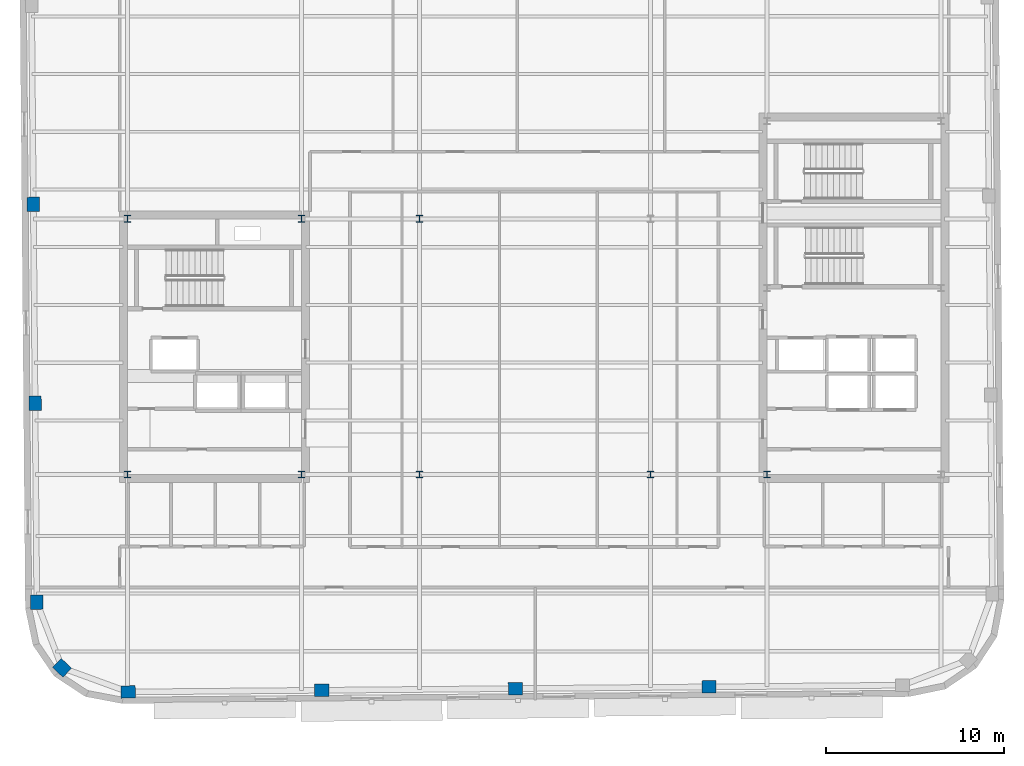
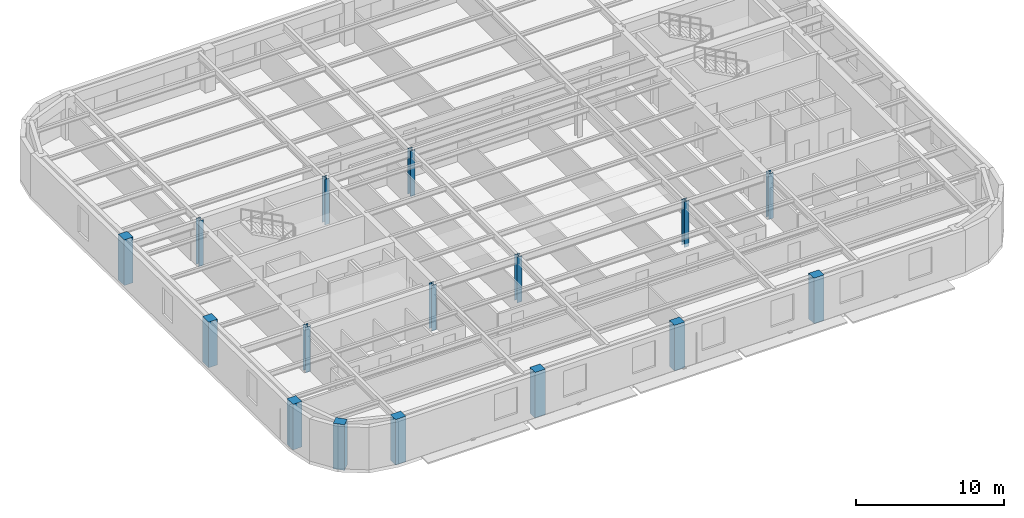
# One storey, part 1 of 14: 16 columns.
"""IFC4 building model written with IfcOpenShell, lengths in metres."""

import ifcopenshell
import ifcopenshell.guid

model = None  # the IFC model being written
_history = None  # IfcOwnerHistory: only IFC2X3 demands one
_inside = {}  # id of a spatial element -> (the spatial element, [elements in it])
_under = {}  # id of a project, library or spatial element -> (it, [spatial elements below it])
_declared = {}  # id of a project -> (the project, [libraries it declares])
_typed = {}  # id of a type object -> (the type object, [elements of that type])
_made_of = {}  # id of a material, layer set ... -> (it, [elements and type objects made of it])


def new_model(schema):
    """Start an empty IFC model of exactly this schema.

    Asked for "IFC4X3", IfcOpenShell would pick the latest addendum, in which some entities
    have other attributes; the version numbers below select the first issue.
    IFC2X3 requires an IfcOwnerHistory on every rooted entity: one is made here for all.
    """
    global model, _history
    if schema == "IFC4X3":
        model = ifcopenshell.file(schema_version=(4, 3, 0, 0))
    else:
        model = ifcopenshell.file(schema=schema)
    _inside.clear()
    _under.clear()
    _declared.clear()
    _typed.clear()
    _made_of.clear()
    _history = None
    if model.schema == "IFC2X3":
        org = make("IfcOrganization", Name="unknown")
        user = make(
            "IfcPersonAndOrganization",
            ThePerson=make("IfcPerson", FamilyName="unknown"),
            TheOrganization=org,
        )
        app = make(
            "IfcApplication",
            ApplicationDeveloper=org,
            Version="unknown",
            ApplicationFullName="unknown",
            ApplicationIdentifier="unknown",
        )
        _history = make(
            "IfcOwnerHistory",
            OwningUser=user,
            OwningApplication=app,
            ChangeAction="ADDED",
            CreationDate=0,
        )
    return model


def make(cls, **values):
    """One entity of the class cls with the attributes given. An attribute that is None is left unset."""
    return model.create_entity(
        cls, **{name: value for name, value in values.items() if value is not None}
    )


def rooted(cls, **values):
    """An entity with a GlobalId (a new one), such as an element, a storey or a relation."""
    return make(cls, GlobalId=ifcopenshell.guid.new(), OwnerHistory=_history, **values)


def si_unit(unit_type, name, prefix=None):
    """IfcSIUnit, for example si_unit("LENGTHUNIT", "METRE", prefix="MILLI")."""
    return make("IfcSIUnit", UnitType=unit_type, Prefix=prefix, Name=name)


def assignment(units):
    """IfcUnitAssignment: the units of a project."""
    return None if units is None else make("IfcUnitAssignment", Units=units)


def point(xyz):
    """IfcCartesianPoint."""
    return None if xyz is None else make("IfcCartesianPoint", Coordinates=xyz)


def direction(xyz):
    """IfcDirection."""
    return None if xyz is None else make("IfcDirection", DirectionRatios=xyz)


def frame(location, z_axis=None, x_axis=None):
    """IfcAxis2Placement3D, a coordinate frame: its origin and axes. An axis left out is left unset."""
    return make(
        "IfcAxis2Placement3D",
        Location=point(location),
        Axis=direction(z_axis),
        RefDirection=direction(x_axis),
    )


def frame_2d(location, x_axis=None):
    """IfcAxis2Placement2D, a coordinate frame in the plane: its origin and x axis."""
    return make(
        "IfcAxis2Placement2D", Location=point(location), RefDirection=direction(x_axis)
    )


def origin():
    """The frame at (0, 0, 0) with its axes left unset."""
    return frame((0.0, 0.0, 0.0))


def origin_2d():
    """The frame at (0, 0) in the plane with its x axis left unset."""
    return frame_2d((0.0, 0.0))


def place(relative_to, where):
    """IfcLocalPlacement: puts the frame where relative to a parent placement (None: the world)."""
    return make(
        "IfcLocalPlacement", PlacementRelTo=relative_to, RelativePlacement=where
    )


def context(
    kind, dimensions, precision=None, world=None, true_north=None, identifier=None
):
    """IfcGeometricRepresentationContext, for example the 3D "Model" context."""
    return make(
        "IfcGeometricRepresentationContext",
        ContextIdentifier=identifier,
        ContextType=kind,
        CoordinateSpaceDimension=dimensions,
        Precision=precision,
        WorldCoordinateSystem=world,
        TrueNorth=true_north,
    )


def subcontext(parent, identifier, kind, view, scale=None):
    """IfcGeometricRepresentationSubContext, for example "Body" below "Model"."""
    return make(
        "IfcGeometricRepresentationSubContext",
        ContextIdentifier=identifier,
        ContextType=kind,
        ParentContext=parent,
        TargetScale=scale,
        TargetView=view,
    )


def project(units=None, contexts=None):
    """IfcProject with its units and contexts."""
    return rooted(
        "IfcProject",
        Name="project",
        RepresentationContexts=contexts,
        UnitsInContext=assignment(units),
    )


def spatial(cls, under=None, at=None, **own):
    """A site, building, storey or space (cls), placed at a placement, below another one or the project."""
    s = rooted(cls, ObjectPlacement=at, **own)
    if under is not None:
        _under.setdefault(under.id(), (under, []))[1].append(s)
    return s


def profile(cls, at=None, kind="AREA", **sizes):
    """A parametric profile (cls). Its sizes go by their IFC names, for example OverallWidth=200.0."""
    return make(cls, ProfileType=kind, Position=at, **sizes)


def rectangle(**sizes):
    """IfcRectangleProfileDef."""
    return profile("IfcRectangleProfileDef", **sizes)


def i_section(**sizes):
    """IfcIShapeProfileDef."""
    return profile("IfcIShapeProfileDef", **sizes)


def extrude(swept, where, along, depth):
    """IfcExtrudedAreaSolid: the profile swept, set in the frame where, extruded along a direction by depth."""
    return make(
        "IfcExtrudedAreaSolid",
        SweptArea=swept,
        Position=where,
        ExtrudedDirection=direction(along),
        Depth=depth,
    )


def shape(context_of_items, identifier, shape_type, items):
    """IfcShapeRepresentation: the items that make up one representation, for example the "Body"."""
    return make(
        "IfcShapeRepresentation",
        ContextOfItems=context_of_items,
        RepresentationIdentifier=identifier,
        RepresentationType=shape_type,
        Items=items,
    )


def material(Name=None, Category=None):
    """IfcMaterial."""
    return make("IfcMaterial", Name=Name, Category=Category)


def material_profile(
    of_material, cross_section, Name=None, Category=None, Priority=None
):
    """IfcMaterialProfile: a cross section and its material."""
    return make(
        "IfcMaterialProfile",
        Name=Name,
        Material=of_material,
        Profile=cross_section,
        Priority=Priority,
        Category=Category,
    )


def profile_set(profiles, Name=None, composite=None):
    """IfcMaterialProfileSet."""
    return make(
        "IfcMaterialProfileSet",
        Name=Name,
        MaterialProfiles=profiles,
        CompositeProfile=composite,
    )


def made_of(thing, what):
    """Note that an element or type object is made of a material, layer set ...; save() writes the relation."""
    if what is not None:
        _made_of.setdefault(what.id(), (what, []))[1].append(thing)
    return thing


def type_object(cls, material=None, **own):
    """A type object (cls), such as IfcWallType, which elements share."""
    return made_of(rooted(cls, **own), material)


def element(
    cls,
    number,
    at=None,
    inside=None,
    cuts=None,
    type_object=None,
    material=None,
    context=None,
    identifier="Body",
    shape_type=None,
    held_by="IfcProductDefinitionShape",
    body=None,
    shapes=None,
    **own,
):
    """One element of the class cls, such as IfcWall. Its Tag is "e" and its number.

    at: its placement. inside: the storey or other place that contains it. cuts: it is an
    opening in that element (IfcRelVoidsElement). A single representation is given by context,
    identifier, shape_type and body (its items); several are given by shapes. held_by: the class
    of the entity that holds the representations. save() writes the other relations.
    """
    e = rooted(cls, Tag="e%d" % number, ObjectPlacement=at, **own)
    if body is not None:
        shapes = [shape(context, identifier, shape_type, body)]
    if shapes is not None:
        e.Representation = make(held_by, Representations=shapes)
    if inside is not None:
        _inside.setdefault(inside.id(), (inside, []))[1].append(e)
    if cuts is not None:
        rooted(
            "IfcRelVoidsElement", RelatingBuildingElement=cuts, RelatedOpeningElement=e
        )
    if type_object is not None:
        _typed.setdefault(type_object.id(), (type_object, []))[1].append(e)
    return made_of(e, material)


def aggregate(whole, parts):
    """IfcRelAggregates: a whole, such as a stair, and the parts it consists of."""
    return rooted("IfcRelAggregates", RelatingObject=whole, RelatedObjects=parts)


def save(model, path):
    """Write the relations noted so far, then the file.

    IfcRelAggregates (storeys below a building ...), IfcRelContainedInSpatialStructure (elements
    in a storey), IfcRelDefinesByType, IfcRelAssociatesMaterial and IfcRelDeclares: one each for
    every whole, place, type object, material and project.
    """
    for whole, parts in _under.values():
        aggregate(whole, parts)
    for where, things in _inside.values():
        rooted(
            "IfcRelContainedInSpatialStructure",
            RelatedElements=things,
            RelatingStructure=where,
        )
    for kind, things in _typed.values():
        rooted("IfcRelDefinesByType", RelatedObjects=things, RelatingType=kind)
    for what, things in _made_of.values():
        rooted("IfcRelAssociatesMaterial", RelatedObjects=things, RelatingMaterial=what)
    for by, libraries in _declared.values():
        rooted("IfcRelDeclares", RelatingContext=by, RelatedDefinitions=libraries)
    model.write(path)


model = new_model("IFC4")

# Units and contexts
model_context = context("Model", 3, precision=1e-05, world=origin(), true_north=direction((0.0, 1.0)))
body_context = subcontext(model_context, "Body", "Model", "MODEL_VIEW")
ifc_project = project(units=[si_unit("LENGTHUNIT", "METRE"), si_unit("AREAUNIT", "SQUARE_METRE"), si_unit("VOLUMEUNIT", "CUBIC_METRE"), si_unit("PLANEANGLEUNIT", "RADIAN"), si_unit("MASSUNIT", "GRAM", prefix="KILO")], contexts=[model_context])

# Site, building, storey
site_placement = place(None, origin())
site = spatial("IfcSite", under=ifc_project, at=site_placement, CompositionType="ELEMENT")
building_placement = place(site_placement, origin())
building = spatial("IfcBuilding", under=site, at=building_placement, Name="Kolvaren Arena Tower", CompositionType="ELEMENT")
storey_placement = place(building_placement, frame((0.0, 0.0, 297.39990234375)))
storey = spatial("IfcBuildingStorey", under=building, at=storey_placement, Name="L73", CompositionType="ELEMENT", Elevation=297.39990234375)

# Columns
ifc_material_1 = material(Name="Precast concrete C50/60", Category="concrete")
ifc_material_profile_1 = material_profile(ifc_material_1, rectangle(XDim=0.800048828125, YDim=0.699951171875, at=origin_2d()), Name="RC-800x700")
ifc_profile_set_1 = profile_set([ifc_material_profile_1], Name="Precast concrete C50/60")
column_type_1 = type_object("IfcColumnType", Name="EXCOL-Z5", PredefinedType="COLUMN", material=ifc_profile_set_1)
for number, where, z_axis, x_axis, name in (
    (1, (14.591796875, 7.210693359375, -0.27001953125), (0.0, 0.0, 1.0), (0.999961923064, 0.008726535498, 0.0), "Exoskeleton Perimeter Column 01 (L73)"),
    (2, (25.491455078125, 7.3056640625, -0.27001953125), (0.0, 0.0, 1.0), (0.999961923064, 0.008726535498, 0.0), "Exoskeleton Perimeter Column 02 (L73)"),
    (3, (36.39111328125, 7.40087890625, -0.27001953125), (0.0, 0.0, 1.0), (0.999961923064, 0.008726535498, 0.0), "Exoskeleton Perimeter Column 03 (L73)"),
    (4, (47.290771484375, 7.49609375, -0.27001953125), (0.0, 0.0, 1.0), (0.999961923064, 0.008726535498, 0.0), "Exoskeleton Perimeter Column 04 (L73)"),
    (5, (9.252197265625, 34.6650390625, -0.27001953125), (0.0, 0.0, 1.0), (-0.008726535498, 0.999961923064, 0.0), "Exoskeleton Perimeter Column 19 (L73)"),
    (6, (9.349853515625, 23.465576171875, -0.27001953125), (0.0, 0.0, 1.0), (-0.008726535498, 0.999961923064, 0.0), "Exoskeleton Perimeter Column 20 (L73)"),
    (7, (9.447509765625, 12.265869140625, -0.27001953125), (0.0, 0.0, 1.0), (-0.008726535498, 0.999961923064, 0.0), "Exoskeleton Perimeter Column 21 (L73)"),
    (8, (10.87109375, 8.5693359375, -0.27001953125), (0.0, 0.0, 1.0), (-0.713250449154, 0.7009092643, 0.0), "Exoskeleton Perimeter Column 22 (L73)"),
):
    element("IfcColumn", number, at=place(storey_placement, frame(where, z_axis=z_axis, x_axis=x_axis)), inside=storey, type_object=column_type_1, Name=name, PredefinedType="COLUMN", context=body_context, shape_type="SweptSolid", body=[
        extrude(rectangle(XDim=0.800048828125, YDim=0.699951171875, at=origin_2d()), origin(), (0.0, 0.0, 1.0), 3.75),
    ])
ifc_material_2 = material(Name="Steel ASTM A913 Grade 65", Category="steel")
ifc_material_profile_2 = material_profile(ifc_material_2, i_section(OverallWidth=0.3740234375, OverallDepth=0.3720703125, WebThickness=0.016357421875, FlangeThickness=0.026123046875, FilletRadius=0.02001953125, at=origin_2d()), Name="W360x196")
ifc_profile_set_2 = profile_set([ifc_material_profile_2], Name="Steel ASTM A913 Grade 65")
column_type_2 = type_object("IfcColumnType", Name="SCOL-Z5", PredefinedType="COLUMN", material=ifc_profile_set_2)
for number, where, z_axis, x_axis, name in (
    (9, (14.550048828125, 19.449951171875, -0.27001953125), (0.0, 0.0, 1.0), (1.0, 0.0, 0.0), "Core Boundary Column WC-SW (L73)"),
    (10, (24.35009765625, 19.449951171875, -0.27001953125), (0.0, 0.0, 1.0), (1.0, 0.0, 0.0), "Core Boundary Column WC-SE (L73)"),
    (11, (14.550048828125, 33.85009765625, -0.27001953125), (0.0, 0.0, 1.0), (1.0, 0.0, 0.0), "Core Boundary Column WC-NW (L73)"),
    (12, (24.35009765625, 33.85009765625, -0.27001953125), (0.0, 0.0, 1.0), (1.0, 0.0, 0.0), "Core Boundary Column WC-NE (L73)"),
    (13, (50.550048828125, 19.449951171875, -0.27001953125), (0.0, 0.0, 1.0), (1.0, 0.0, 0.0), "Core Boundary Column EC-SW (L73)"),
    (14, (31.0, 19.449951171875, -0.27001953125), (0.0, 0.0, 1.0), (1.0, 0.0, 0.0), "Interior Gravity Column TC-SW (L73)"),
    (15, (44.0, 19.449951171875, -0.27001953125), (0.0, 0.0, 1.0), (1.0, 0.0, 0.0), "Interior Gravity Column TC-SE (L73)"),
    (16, (31.0, 33.85009765625, -0.27001953125), (0.0, 0.0, 1.0), (1.0, 0.0, 0.0), "Interior Gravity Column TC-NW (L73)"),
):
    element("IfcColumn", number, at=place(storey_placement, frame(where, z_axis=z_axis, x_axis=x_axis)), inside=storey, type_object=column_type_2, Name=name, PredefinedType="COLUMN", context=body_context, shape_type="SweptSolid", body=[
        extrude(i_section(OverallWidth=0.3740234375, OverallDepth=0.3720703125, WebThickness=0.016357421875, FlangeThickness=0.026123046875, FilletRadius=0.02001953125, at=origin_2d()), origin(), (0.0, 0.0, 1.0), 3.75),
    ])

save(model, "model.ifc")
